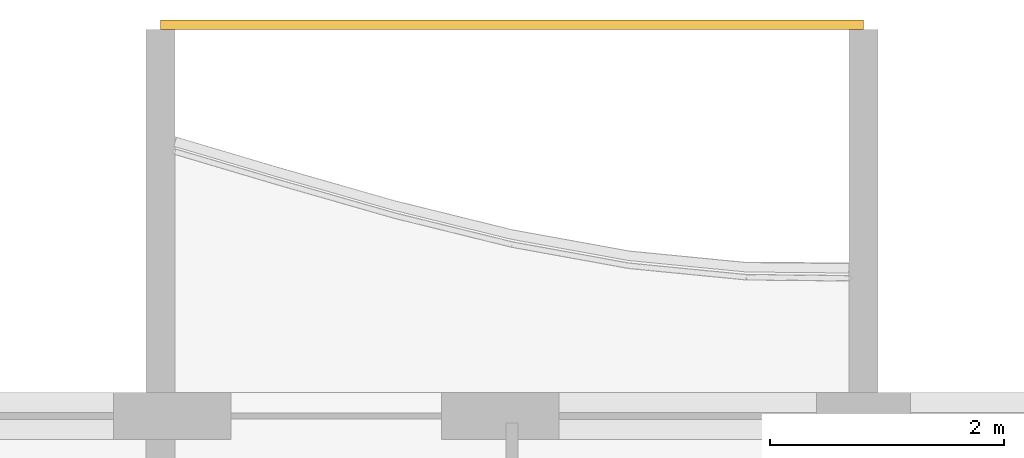
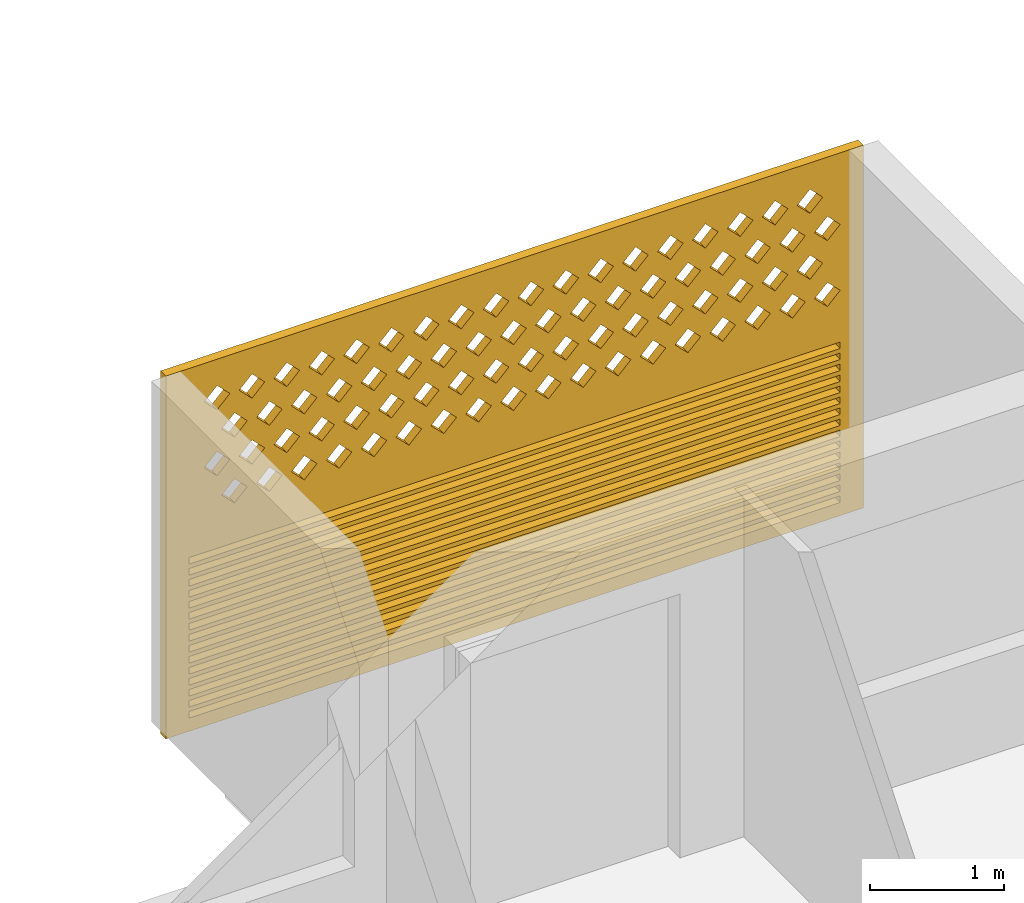
# One storey, part 25 of 27: 1 covering.
"""IFC4 building model written with IfcOpenShell, lengths in metres."""

from ifc_helpers import new_model, si_unit, direction, frame, origin, place, context, subcontext, project, spatial, polyline, outline, extrude, source, transform, mapped, material, material_profile, profile_set, type_object, element, save


model = new_model("IFC4")

# Units and contexts
model_context = context("Model", 3, precision=1e-05, world=origin(), true_north=direction((0.0, 1.0)))
body_context = subcontext(model_context, "Body", "Model", "MODEL_VIEW")
ifc_project = project(units=[si_unit("LENGTHUNIT", "METRE"), si_unit("AREAUNIT", "SQUARE_METRE"), si_unit("VOLUMEUNIT", "CUBIC_METRE"), si_unit("PLANEANGLEUNIT", "RADIAN"), si_unit("MASSUNIT", "GRAM", prefix="KILO")], contexts=[model_context])

# Site, building, storey
site_placement = place(None, origin())
site = spatial("IfcSite", under=ifc_project, at=site_placement, CompositionType="ELEMENT")
building_placement = place(site_placement, origin())
building = spatial("IfcBuilding", under=site, at=building_placement, Name="Poui Terraces", CompositionType="ELEMENT")
storey_placement = place(building_placement, frame((0.0, 0.0, 204.89990234375)))
storey = spatial("IfcBuildingStorey", under=building, at=storey_placement, Name="L57", CompositionType="ELEMENT", Elevation=204.89990234375)

# Covering
ifc_material = material(Name="Terracotta screen", Category="masonry")
ifc_material_profile = material_profile(ifc_material, outline(polyline([(-3.0, -1.64990234375), (3.0, -1.64990234375), (3.0, 1.64990234375), (-3.0, 1.64990234375), (-3.0, -1.64990234375)]), holes=[polyline([(-2.800048828125, 0.39990234375), (-2.68994140625, 0.2900390625), (-2.580078125, 0.39990234375), (-2.68994140625, 0.510009765625), (-2.800048828125, 0.39990234375)]), polyline([(-2.5, 0.39990234375), (-2.389892578125, 0.2900390625), (-2.280029296875, 0.39990234375), (-2.389892578125, 0.510009765625), (-2.5, 0.39990234375)]), polyline([(-2.199951171875, 0.39990234375), (-2.090087890625, 0.2900390625), (-1.97998046875, 0.39990234375), (-2.090087890625, 0.510009765625), (-2.199951171875, 0.39990234375)]), polyline([(-1.89990234375, 0.39990234375), (-1.7900390625, 0.2900390625), (-1.679931640625, 0.39990234375), (-1.7900390625, 0.510009765625), (-1.89990234375, 0.39990234375)]), polyline([(-1.60009765625, 0.39990234375), (-1.489990234375, 0.2900390625), (-1.3798828125, 0.39990234375), (-1.489990234375, 0.510009765625), (-1.60009765625, 0.39990234375)]), polyline([(-1.300048828125, 0.39990234375), (-1.18994140625, 0.2900390625), (-1.080078125, 0.39990234375), (-1.18994140625, 0.510009765625), (-1.300048828125, 0.39990234375)]), polyline([(-1.0, 0.39990234375), (-0.889892578125, 0.2900390625), (-0.780029296875, 0.39990234375), (-0.889892578125, 0.510009765625), (-1.0, 0.39990234375)]), polyline([(-0.699951171875, 0.39990234375), (-0.590087890625, 0.2900390625), (-0.47998046875, 0.39990234375), (-0.590087890625, 0.510009765625), (-0.699951171875, 0.39990234375)]), polyline([(-0.39990234375, 0.39990234375), (-0.2900390625, 0.2900390625), (-0.179931640625, 0.39990234375), (-0.2900390625, 0.510009765625), (-0.39990234375, 0.39990234375)]), polyline([(-0.10009765625, 0.39990234375), (0.010009765625, 0.2900390625), (0.1201171875, 0.39990234375), (0.010009765625, 0.510009765625), (-0.10009765625, 0.39990234375)]), polyline([(0.199951171875, 0.39990234375), (0.31005859375, 0.2900390625), (0.419921875, 0.39990234375), (0.31005859375, 0.510009765625), (0.199951171875, 0.39990234375)]), polyline([(0.5, 0.39990234375), (0.610107421875, 0.2900390625), (0.719970703125, 0.39990234375), (0.610107421875, 0.510009765625), (0.5, 0.39990234375)]), polyline([(0.800048828125, 0.39990234375), (0.909912109375, 0.2900390625), (1.02001953125, 0.39990234375), (0.909912109375, 0.510009765625), (0.800048828125, 0.39990234375)]), polyline([(1.10009765625, 0.39990234375), (1.2099609375, 0.2900390625), (1.320068359375, 0.39990234375), (1.2099609375, 0.510009765625), (1.10009765625, 0.39990234375)]), polyline([(1.39990234375, 0.39990234375), (1.510009765625, 0.2900390625), (1.6201171875, 0.39990234375), (1.510009765625, 0.510009765625), (1.39990234375, 0.39990234375)]), polyline([(1.699951171875, 0.39990234375), (1.81005859375, 0.2900390625), (1.919921875, 0.39990234375), (1.81005859375, 0.510009765625), (1.699951171875, 0.39990234375)]), polyline([(2.0, 0.39990234375), (2.110107421875, 0.2900390625), (2.219970703125, 0.39990234375), (2.110107421875, 0.510009765625), (2.0, 0.39990234375)]), polyline([(2.300048828125, 0.39990234375), (2.409912109375, 0.2900390625), (2.52001953125, 0.39990234375), (2.409912109375, 0.510009765625), (2.300048828125, 0.39990234375)]), polyline([(-2.64990234375, 0.699951171875), (-2.5400390625, 0.590087890625), (-2.429931640625, 0.699951171875), (-2.5400390625, 0.81005859375), (-2.64990234375, 0.699951171875)]), polyline([(-2.35009765625, 0.699951171875), (-2.239990234375, 0.590087890625), (-2.1298828125, 0.699951171875), (-2.239990234375, 0.81005859375), (-2.35009765625, 0.699951171875)]), polyline([(-2.050048828125, 0.699951171875), (-1.93994140625, 0.590087890625), (-1.830078125, 0.699951171875), (-1.93994140625, 0.81005859375), (-2.050048828125, 0.699951171875)]), polyline([(-1.75, 0.699951171875), (-1.639892578125, 0.590087890625), (-1.530029296875, 0.699951171875), (-1.639892578125, 0.81005859375), (-1.75, 0.699951171875)]), polyline([(-1.449951171875, 0.699951171875), (-1.340087890625, 0.590087890625), (-1.22998046875, 0.699951171875), (-1.340087890625, 0.81005859375), (-1.449951171875, 0.699951171875)]), polyline([(-1.14990234375, 0.699951171875), (-1.0400390625, 0.590087890625), (-0.929931640625, 0.699951171875), (-1.0400390625, 0.81005859375), (-1.14990234375, 0.699951171875)]), polyline([(-0.85009765625, 0.699951171875), (-0.739990234375, 0.590087890625), (-0.6298828125, 0.699951171875), (-0.739990234375, 0.81005859375), (-0.85009765625, 0.699951171875)]), polyline([(-0.550048828125, 0.699951171875), (-0.43994140625, 0.590087890625), (-0.330078125, 0.699951171875), (-0.43994140625, 0.81005859375), (-0.550048828125, 0.699951171875)]), polyline([(-0.25, 0.699951171875), (-0.139892578125, 0.590087890625), (-0.030029296875, 0.699951171875), (-0.139892578125, 0.81005859375), (-0.25, 0.699951171875)]), polyline([(0.050048828125, 0.699951171875), (0.159912109375, 0.590087890625), (0.27001953125, 0.699951171875), (0.159912109375, 0.81005859375), (0.050048828125, 0.699951171875)]), polyline([(0.35009765625, 0.699951171875), (0.4599609375, 0.590087890625), (0.570068359375, 0.699951171875), (0.4599609375, 0.81005859375), (0.35009765625, 0.699951171875)]), polyline([(0.64990234375, 0.699951171875), (0.760009765625, 0.590087890625), (0.8701171875, 0.699951171875), (0.760009765625, 0.81005859375), (0.64990234375, 0.699951171875)]), polyline([(0.949951171875, 0.699951171875), (1.06005859375, 0.590087890625), (1.169921875, 0.699951171875), (1.06005859375, 0.81005859375), (0.949951171875, 0.699951171875)]), polyline([(1.25, 0.699951171875), (1.360107421875, 0.590087890625), (1.469970703125, 0.699951171875), (1.360107421875, 0.81005859375), (1.25, 0.699951171875)]), polyline([(1.550048828125, 0.699951171875), (1.659912109375, 0.590087890625), (1.77001953125, 0.699951171875), (1.659912109375, 0.81005859375), (1.550048828125, 0.699951171875)]), polyline([(1.85009765625, 0.699951171875), (1.9599609375, 0.590087890625), (2.070068359375, 0.699951171875), (1.9599609375, 0.81005859375), (1.85009765625, 0.699951171875)]), polyline([(2.14990234375, 0.699951171875), (2.260009765625, 0.590087890625), (2.3701171875, 0.699951171875), (2.260009765625, 0.81005859375), (2.14990234375, 0.699951171875)]), polyline([(2.449951171875, 0.699951171875), (2.56005859375, 0.590087890625), (2.669921875, 0.699951171875), (2.56005859375, 0.81005859375), (2.449951171875, 0.699951171875)]), polyline([(-2.800048828125, 1.0), (-2.68994140625, 0.889892578125), (-2.580078125, 1.0), (-2.68994140625, 1.110107421875), (-2.800048828125, 1.0)]), polyline([(-2.5, 1.0), (-2.389892578125, 0.889892578125), (-2.280029296875, 1.0), (-2.389892578125, 1.110107421875), (-2.5, 1.0)]), polyline([(-2.199951171875, 1.0), (-2.090087890625, 0.889892578125), (-1.97998046875, 1.0), (-2.090087890625, 1.110107421875), (-2.199951171875, 1.0)]), polyline([(-1.89990234375, 1.0), (-1.7900390625, 0.889892578125), (-1.679931640625, 1.0), (-1.7900390625, 1.110107421875), (-1.89990234375, 1.0)]), polyline([(-1.60009765625, 1.0), (-1.489990234375, 0.889892578125), (-1.3798828125, 1.0), (-1.489990234375, 1.110107421875), (-1.60009765625, 1.0)]), polyline([(-1.300048828125, 1.0), (-1.18994140625, 0.889892578125), (-1.080078125, 1.0), (-1.18994140625, 1.110107421875), (-1.300048828125, 1.0)]), polyline([(-1.0, 1.0), (-0.889892578125, 0.889892578125), (-0.780029296875, 1.0), (-0.889892578125, 1.110107421875), (-1.0, 1.0)]), polyline([(-0.699951171875, 1.0), (-0.590087890625, 0.889892578125), (-0.47998046875, 1.0), (-0.590087890625, 1.110107421875), (-0.699951171875, 1.0)]), polyline([(-0.39990234375, 1.0), (-0.2900390625, 0.889892578125), (-0.179931640625, 1.0), (-0.2900390625, 1.110107421875), (-0.39990234375, 1.0)]), polyline([(-0.10009765625, 1.0), (0.010009765625, 0.889892578125), (0.1201171875, 1.0), (0.010009765625, 1.110107421875), (-0.10009765625, 1.0)]), polyline([(0.199951171875, 1.0), (0.31005859375, 0.889892578125), (0.419921875, 1.0), (0.31005859375, 1.110107421875), (0.199951171875, 1.0)]), polyline([(0.5, 1.0), (0.610107421875, 0.889892578125), (0.719970703125, 1.0), (0.610107421875, 1.110107421875), (0.5, 1.0)]), polyline([(0.800048828125, 1.0), (0.909912109375, 0.889892578125), (1.02001953125, 1.0), (0.909912109375, 1.110107421875), (0.800048828125, 1.0)]), polyline([(1.10009765625, 1.0), (1.2099609375, 0.889892578125), (1.320068359375, 1.0), (1.2099609375, 1.110107421875), (1.10009765625, 1.0)]), polyline([(1.39990234375, 1.0), (1.510009765625, 0.889892578125), (1.6201171875, 1.0), (1.510009765625, 1.110107421875), (1.39990234375, 1.0)]), polyline([(1.699951171875, 1.0), (1.81005859375, 0.889892578125), (1.919921875, 1.0), (1.81005859375, 1.110107421875), (1.699951171875, 1.0)]), polyline([(2.0, 1.0), (2.110107421875, 0.889892578125), (2.219970703125, 1.0), (2.110107421875, 1.110107421875), (2.0, 1.0)]), polyline([(2.300048828125, 1.0), (2.409912109375, 0.889892578125), (2.52001953125, 1.0), (2.409912109375, 1.110107421875), (2.300048828125, 1.0)]), polyline([(-2.64990234375, 1.300048828125), (-2.5400390625, 1.18994140625), (-2.429931640625, 1.300048828125), (-2.5400390625, 1.409912109375), (-2.64990234375, 1.300048828125)]), polyline([(-2.35009765625, 1.300048828125), (-2.239990234375, 1.18994140625), (-2.1298828125, 1.300048828125), (-2.239990234375, 1.409912109375), (-2.35009765625, 1.300048828125)]), polyline([(-2.050048828125, 1.300048828125), (-1.93994140625, 1.18994140625), (-1.830078125, 1.300048828125), (-1.93994140625, 1.409912109375), (-2.050048828125, 1.300048828125)]), polyline([(-1.75, 1.300048828125), (-1.639892578125, 1.18994140625), (-1.530029296875, 1.300048828125), (-1.639892578125, 1.409912109375), (-1.75, 1.300048828125)]), polyline([(-1.449951171875, 1.300048828125), (-1.340087890625, 1.18994140625), (-1.22998046875, 1.300048828125), (-1.340087890625, 1.409912109375), (-1.449951171875, 1.300048828125)]), polyline([(-1.14990234375, 1.300048828125), (-1.0400390625, 1.18994140625), (-0.929931640625, 1.300048828125), (-1.0400390625, 1.409912109375), (-1.14990234375, 1.300048828125)]), polyline([(-0.85009765625, 1.300048828125), (-0.739990234375, 1.18994140625), (-0.6298828125, 1.300048828125), (-0.739990234375, 1.409912109375), (-0.85009765625, 1.300048828125)]), polyline([(-0.550048828125, 1.300048828125), (-0.43994140625, 1.18994140625), (-0.330078125, 1.300048828125), (-0.43994140625, 1.409912109375), (-0.550048828125, 1.300048828125)]), polyline([(-0.25, 1.300048828125), (-0.139892578125, 1.18994140625), (-0.030029296875, 1.300048828125), (-0.139892578125, 1.409912109375), (-0.25, 1.300048828125)]), polyline([(0.050048828125, 1.300048828125), (0.159912109375, 1.18994140625), (0.27001953125, 1.300048828125), (0.159912109375, 1.409912109375), (0.050048828125, 1.300048828125)]), polyline([(0.35009765625, 1.300048828125), (0.4599609375, 1.18994140625), (0.570068359375, 1.300048828125), (0.4599609375, 1.409912109375), (0.35009765625, 1.300048828125)]), polyline([(0.64990234375, 1.300048828125), (0.760009765625, 1.18994140625), (0.8701171875, 1.300048828125), (0.760009765625, 1.409912109375), (0.64990234375, 1.300048828125)]), polyline([(0.949951171875, 1.300048828125), (1.06005859375, 1.18994140625), (1.169921875, 1.300048828125), (1.06005859375, 1.409912109375), (0.949951171875, 1.300048828125)]), polyline([(1.25, 1.300048828125), (1.360107421875, 1.18994140625), (1.469970703125, 1.300048828125), (1.360107421875, 1.409912109375), (1.25, 1.300048828125)]), polyline([(1.550048828125, 1.300048828125), (1.659912109375, 1.18994140625), (1.77001953125, 1.300048828125), (1.659912109375, 1.409912109375), (1.550048828125, 1.300048828125)]), polyline([(1.85009765625, 1.300048828125), (1.9599609375, 1.18994140625), (2.070068359375, 1.300048828125), (1.9599609375, 1.409912109375), (1.85009765625, 1.300048828125)]), polyline([(2.14990234375, 1.300048828125), (2.260009765625, 1.18994140625), (2.3701171875, 1.300048828125), (2.260009765625, 1.409912109375), (2.14990234375, 1.300048828125)]), polyline([(2.449951171875, 1.300048828125), (2.56005859375, 1.18994140625), (2.669921875, 1.300048828125), (2.56005859375, 1.409912109375), (2.449951171875, 1.300048828125)]), polyline([(-2.800048828125, -1.530029296875), (2.800048828125, -1.530029296875), (2.800048828125, -1.469970703125), (-2.800048828125, -1.469970703125), (-2.800048828125, -1.530029296875)]), polyline([(-2.800048828125, -1.429931640625), (2.800048828125, -1.429931640625), (2.800048828125, -1.3701171875), (-2.800048828125, -1.3701171875), (-2.800048828125, -1.429931640625)]), polyline([(-2.800048828125, -1.330078125), (2.800048828125, -1.330078125), (2.800048828125, -1.27001953125), (-2.800048828125, -1.27001953125), (-2.800048828125, -1.330078125)]), polyline([(-2.800048828125, -1.22998046875), (2.800048828125, -1.22998046875), (2.800048828125, -1.169921875), (-2.800048828125, -1.169921875), (-2.800048828125, -1.22998046875)]), polyline([(-2.800048828125, -1.1298828125), (2.800048828125, -1.1298828125), (2.800048828125, -1.070068359375), (-2.800048828125, -1.070068359375), (-2.800048828125, -1.1298828125)]), polyline([(-2.800048828125, -1.030029296875), (2.800048828125, -1.030029296875), (2.800048828125, -0.969970703125), (-2.800048828125, -0.969970703125), (-2.800048828125, -1.030029296875)]), polyline([(-2.800048828125, -0.929931640625), (2.800048828125, -0.929931640625), (2.800048828125, -0.8701171875), (-2.800048828125, -0.8701171875), (-2.800048828125, -0.929931640625)]), polyline([(-2.800048828125, -0.830078125), (2.800048828125, -0.830078125), (2.800048828125, -0.77001953125), (-2.800048828125, -0.77001953125), (-2.800048828125, -0.830078125)]), polyline([(-2.800048828125, -0.72998046875), (2.800048828125, -0.72998046875), (2.800048828125, -0.669921875), (-2.800048828125, -0.669921875), (-2.800048828125, -0.72998046875)]), polyline([(-2.800048828125, -0.6298828125), (2.800048828125, -0.6298828125), (2.800048828125, -0.570068359375), (-2.800048828125, -0.570068359375), (-2.800048828125, -0.6298828125)]), polyline([(-2.800048828125, -0.530029296875), (2.800048828125, -0.530029296875), (2.800048828125, -0.469970703125), (-2.800048828125, -0.469970703125), (-2.800048828125, -0.530029296875)]), polyline([(-2.800048828125, -0.429931640625), (2.800048828125, -0.429931640625), (2.800048828125, -0.3701171875), (-2.800048828125, -0.3701171875), (-2.800048828125, -0.429931640625)]), polyline([(-2.800048828125, -0.330078125), (2.800048828125, -0.330078125), (2.800048828125, -0.27001953125), (-2.800048828125, -0.27001953125), (-2.800048828125, -0.330078125)]), polyline([(-2.800048828125, -0.22998046875), (2.800048828125, -0.22998046875), (2.800048828125, -0.169921875), (-2.800048828125, -0.169921875), (-2.800048828125, -0.22998046875)]), polyline([(-2.800048828125, -0.1298828125), (2.800048828125, -0.1298828125), (2.800048828125, -0.070068359375), (-2.800048828125, -0.070068359375), (-2.800048828125, -0.1298828125)])]), Name="TERRACOTTA SCREEN AND JALOUSIE LOUVRE 6000X3300")
ifc_profile_set = profile_set([ifc_material_profile], Name="Terracotta screen")
covering_type = type_object("IfcCoveringType", Name="TERRACOTTA SCREEN AND JALOUSIE LOUVRE 6000X3300", PredefinedType="CLADDING", material=ifc_profile_set)
shared_shape = source(origin(), body_context, "Body", "SweptSolid", [
    extrude(outline(polyline([(-3.0, -1.64990234375), (3.0, -1.64990234375), (3.0, 1.64990234375), (-3.0, 1.64990234375), (-3.0, -1.64990234375)]), holes=[polyline([(-2.800048828125, 0.39990234375), (-2.68994140625, 0.2900390625), (-2.580078125, 0.39990234375), (-2.68994140625, 0.510009765625), (-2.800048828125, 0.39990234375)]), polyline([(-2.5, 0.39990234375), (-2.389892578125, 0.2900390625), (-2.280029296875, 0.39990234375), (-2.389892578125, 0.510009765625), (-2.5, 0.39990234375)]), polyline([(-2.199951171875, 0.39990234375), (-2.090087890625, 0.2900390625), (-1.97998046875, 0.39990234375), (-2.090087890625, 0.510009765625), (-2.199951171875, 0.39990234375)]), polyline([(-1.89990234375, 0.39990234375), (-1.7900390625, 0.2900390625), (-1.679931640625, 0.39990234375), (-1.7900390625, 0.510009765625), (-1.89990234375, 0.39990234375)]), polyline([(-1.60009765625, 0.39990234375), (-1.489990234375, 0.2900390625), (-1.3798828125, 0.39990234375), (-1.489990234375, 0.510009765625), (-1.60009765625, 0.39990234375)]), polyline([(-1.300048828125, 0.39990234375), (-1.18994140625, 0.2900390625), (-1.080078125, 0.39990234375), (-1.18994140625, 0.510009765625), (-1.300048828125, 0.39990234375)]), polyline([(-1.0, 0.39990234375), (-0.889892578125, 0.2900390625), (-0.780029296875, 0.39990234375), (-0.889892578125, 0.510009765625), (-1.0, 0.39990234375)]), polyline([(-0.699951171875, 0.39990234375), (-0.590087890625, 0.2900390625), (-0.47998046875, 0.39990234375), (-0.590087890625, 0.510009765625), (-0.699951171875, 0.39990234375)]), polyline([(-0.39990234375, 0.39990234375), (-0.2900390625, 0.2900390625), (-0.179931640625, 0.39990234375), (-0.2900390625, 0.510009765625), (-0.39990234375, 0.39990234375)]), polyline([(-0.10009765625, 0.39990234375), (0.010009765625, 0.2900390625), (0.1201171875, 0.39990234375), (0.010009765625, 0.510009765625), (-0.10009765625, 0.39990234375)]), polyline([(0.199951171875, 0.39990234375), (0.31005859375, 0.2900390625), (0.419921875, 0.39990234375), (0.31005859375, 0.510009765625), (0.199951171875, 0.39990234375)]), polyline([(0.5, 0.39990234375), (0.610107421875, 0.2900390625), (0.719970703125, 0.39990234375), (0.610107421875, 0.510009765625), (0.5, 0.39990234375)]), polyline([(0.800048828125, 0.39990234375), (0.909912109375, 0.2900390625), (1.02001953125, 0.39990234375), (0.909912109375, 0.510009765625), (0.800048828125, 0.39990234375)]), polyline([(1.10009765625, 0.39990234375), (1.2099609375, 0.2900390625), (1.320068359375, 0.39990234375), (1.2099609375, 0.510009765625), (1.10009765625, 0.39990234375)]), polyline([(1.39990234375, 0.39990234375), (1.510009765625, 0.2900390625), (1.6201171875, 0.39990234375), (1.510009765625, 0.510009765625), (1.39990234375, 0.39990234375)]), polyline([(1.699951171875, 0.39990234375), (1.81005859375, 0.2900390625), (1.919921875, 0.39990234375), (1.81005859375, 0.510009765625), (1.699951171875, 0.39990234375)]), polyline([(2.0, 0.39990234375), (2.110107421875, 0.2900390625), (2.219970703125, 0.39990234375), (2.110107421875, 0.510009765625), (2.0, 0.39990234375)]), polyline([(2.300048828125, 0.39990234375), (2.409912109375, 0.2900390625), (2.52001953125, 0.39990234375), (2.409912109375, 0.510009765625), (2.300048828125, 0.39990234375)]), polyline([(-2.64990234375, 0.699951171875), (-2.5400390625, 0.590087890625), (-2.429931640625, 0.699951171875), (-2.5400390625, 0.81005859375), (-2.64990234375, 0.699951171875)]), polyline([(-2.35009765625, 0.699951171875), (-2.239990234375, 0.590087890625), (-2.1298828125, 0.699951171875), (-2.239990234375, 0.81005859375), (-2.35009765625, 0.699951171875)]), polyline([(-2.050048828125, 0.699951171875), (-1.93994140625, 0.590087890625), (-1.830078125, 0.699951171875), (-1.93994140625, 0.81005859375), (-2.050048828125, 0.699951171875)]), polyline([(-1.75, 0.699951171875), (-1.639892578125, 0.590087890625), (-1.530029296875, 0.699951171875), (-1.639892578125, 0.81005859375), (-1.75, 0.699951171875)]), polyline([(-1.449951171875, 0.699951171875), (-1.340087890625, 0.590087890625), (-1.22998046875, 0.699951171875), (-1.340087890625, 0.81005859375), (-1.449951171875, 0.699951171875)]), polyline([(-1.14990234375, 0.699951171875), (-1.0400390625, 0.590087890625), (-0.929931640625, 0.699951171875), (-1.0400390625, 0.81005859375), (-1.14990234375, 0.699951171875)]), polyline([(-0.85009765625, 0.699951171875), (-0.739990234375, 0.590087890625), (-0.6298828125, 0.699951171875), (-0.739990234375, 0.81005859375), (-0.85009765625, 0.699951171875)]), polyline([(-0.550048828125, 0.699951171875), (-0.43994140625, 0.590087890625), (-0.330078125, 0.699951171875), (-0.43994140625, 0.81005859375), (-0.550048828125, 0.699951171875)]), polyline([(-0.25, 0.699951171875), (-0.139892578125, 0.590087890625), (-0.030029296875, 0.699951171875), (-0.139892578125, 0.81005859375), (-0.25, 0.699951171875)]), polyline([(0.050048828125, 0.699951171875), (0.159912109375, 0.590087890625), (0.27001953125, 0.699951171875), (0.159912109375, 0.81005859375), (0.050048828125, 0.699951171875)]), polyline([(0.35009765625, 0.699951171875), (0.4599609375, 0.590087890625), (0.570068359375, 0.699951171875), (0.4599609375, 0.81005859375), (0.35009765625, 0.699951171875)]), polyline([(0.64990234375, 0.699951171875), (0.760009765625, 0.590087890625), (0.8701171875, 0.699951171875), (0.760009765625, 0.81005859375), (0.64990234375, 0.699951171875)]), polyline([(0.949951171875, 0.699951171875), (1.06005859375, 0.590087890625), (1.169921875, 0.699951171875), (1.06005859375, 0.81005859375), (0.949951171875, 0.699951171875)]), polyline([(1.25, 0.699951171875), (1.360107421875, 0.590087890625), (1.469970703125, 0.699951171875), (1.360107421875, 0.81005859375), (1.25, 0.699951171875)]), polyline([(1.550048828125, 0.699951171875), (1.659912109375, 0.590087890625), (1.77001953125, 0.699951171875), (1.659912109375, 0.81005859375), (1.550048828125, 0.699951171875)]), polyline([(1.85009765625, 0.699951171875), (1.9599609375, 0.590087890625), (2.070068359375, 0.699951171875), (1.9599609375, 0.81005859375), (1.85009765625, 0.699951171875)]), polyline([(2.14990234375, 0.699951171875), (2.260009765625, 0.590087890625), (2.3701171875, 0.699951171875), (2.260009765625, 0.81005859375), (2.14990234375, 0.699951171875)]), polyline([(2.449951171875, 0.699951171875), (2.56005859375, 0.590087890625), (2.669921875, 0.699951171875), (2.56005859375, 0.81005859375), (2.449951171875, 0.699951171875)]), polyline([(-2.800048828125, 1.0), (-2.68994140625, 0.889892578125), (-2.580078125, 1.0), (-2.68994140625, 1.110107421875), (-2.800048828125, 1.0)]), polyline([(-2.5, 1.0), (-2.389892578125, 0.889892578125), (-2.280029296875, 1.0), (-2.389892578125, 1.110107421875), (-2.5, 1.0)]), polyline([(-2.199951171875, 1.0), (-2.090087890625, 0.889892578125), (-1.97998046875, 1.0), (-2.090087890625, 1.110107421875), (-2.199951171875, 1.0)]), polyline([(-1.89990234375, 1.0), (-1.7900390625, 0.889892578125), (-1.679931640625, 1.0), (-1.7900390625, 1.110107421875), (-1.89990234375, 1.0)]), polyline([(-1.60009765625, 1.0), (-1.489990234375, 0.889892578125), (-1.3798828125, 1.0), (-1.489990234375, 1.110107421875), (-1.60009765625, 1.0)]), polyline([(-1.300048828125, 1.0), (-1.18994140625, 0.889892578125), (-1.080078125, 1.0), (-1.18994140625, 1.110107421875), (-1.300048828125, 1.0)]), polyline([(-1.0, 1.0), (-0.889892578125, 0.889892578125), (-0.780029296875, 1.0), (-0.889892578125, 1.110107421875), (-1.0, 1.0)]), polyline([(-0.699951171875, 1.0), (-0.590087890625, 0.889892578125), (-0.47998046875, 1.0), (-0.590087890625, 1.110107421875), (-0.699951171875, 1.0)]), polyline([(-0.39990234375, 1.0), (-0.2900390625, 0.889892578125), (-0.179931640625, 1.0), (-0.2900390625, 1.110107421875), (-0.39990234375, 1.0)]), polyline([(-0.10009765625, 1.0), (0.010009765625, 0.889892578125), (0.1201171875, 1.0), (0.010009765625, 1.110107421875), (-0.10009765625, 1.0)]), polyline([(0.199951171875, 1.0), (0.31005859375, 0.889892578125), (0.419921875, 1.0), (0.31005859375, 1.110107421875), (0.199951171875, 1.0)]), polyline([(0.5, 1.0), (0.610107421875, 0.889892578125), (0.719970703125, 1.0), (0.610107421875, 1.110107421875), (0.5, 1.0)]), polyline([(0.800048828125, 1.0), (0.909912109375, 0.889892578125), (1.02001953125, 1.0), (0.909912109375, 1.110107421875), (0.800048828125, 1.0)]), polyline([(1.10009765625, 1.0), (1.2099609375, 0.889892578125), (1.320068359375, 1.0), (1.2099609375, 1.110107421875), (1.10009765625, 1.0)]), polyline([(1.39990234375, 1.0), (1.510009765625, 0.889892578125), (1.6201171875, 1.0), (1.510009765625, 1.110107421875), (1.39990234375, 1.0)]), polyline([(1.699951171875, 1.0), (1.81005859375, 0.889892578125), (1.919921875, 1.0), (1.81005859375, 1.110107421875), (1.699951171875, 1.0)]), polyline([(2.0, 1.0), (2.110107421875, 0.889892578125), (2.219970703125, 1.0), (2.110107421875, 1.110107421875), (2.0, 1.0)]), polyline([(2.300048828125, 1.0), (2.409912109375, 0.889892578125), (2.52001953125, 1.0), (2.409912109375, 1.110107421875), (2.300048828125, 1.0)]), polyline([(-2.64990234375, 1.300048828125), (-2.5400390625, 1.18994140625), (-2.429931640625, 1.300048828125), (-2.5400390625, 1.409912109375), (-2.64990234375, 1.300048828125)]), polyline([(-2.35009765625, 1.300048828125), (-2.239990234375, 1.18994140625), (-2.1298828125, 1.300048828125), (-2.239990234375, 1.409912109375), (-2.35009765625, 1.300048828125)]), polyline([(-2.050048828125, 1.300048828125), (-1.93994140625, 1.18994140625), (-1.830078125, 1.300048828125), (-1.93994140625, 1.409912109375), (-2.050048828125, 1.300048828125)]), polyline([(-1.75, 1.300048828125), (-1.639892578125, 1.18994140625), (-1.530029296875, 1.300048828125), (-1.639892578125, 1.409912109375), (-1.75, 1.300048828125)]), polyline([(-1.449951171875, 1.300048828125), (-1.340087890625, 1.18994140625), (-1.22998046875, 1.300048828125), (-1.340087890625, 1.409912109375), (-1.449951171875, 1.300048828125)]), polyline([(-1.14990234375, 1.300048828125), (-1.0400390625, 1.18994140625), (-0.929931640625, 1.300048828125), (-1.0400390625, 1.409912109375), (-1.14990234375, 1.300048828125)]), polyline([(-0.85009765625, 1.300048828125), (-0.739990234375, 1.18994140625), (-0.6298828125, 1.300048828125), (-0.739990234375, 1.409912109375), (-0.85009765625, 1.300048828125)]), polyline([(-0.550048828125, 1.300048828125), (-0.43994140625, 1.18994140625), (-0.330078125, 1.300048828125), (-0.43994140625, 1.409912109375), (-0.550048828125, 1.300048828125)]), polyline([(-0.25, 1.300048828125), (-0.139892578125, 1.18994140625), (-0.030029296875, 1.300048828125), (-0.139892578125, 1.409912109375), (-0.25, 1.300048828125)]), polyline([(0.050048828125, 1.300048828125), (0.159912109375, 1.18994140625), (0.27001953125, 1.300048828125), (0.159912109375, 1.409912109375), (0.050048828125, 1.300048828125)]), polyline([(0.35009765625, 1.300048828125), (0.4599609375, 1.18994140625), (0.570068359375, 1.300048828125), (0.4599609375, 1.409912109375), (0.35009765625, 1.300048828125)]), polyline([(0.64990234375, 1.300048828125), (0.760009765625, 1.18994140625), (0.8701171875, 1.300048828125), (0.760009765625, 1.409912109375), (0.64990234375, 1.300048828125)]), polyline([(0.949951171875, 1.300048828125), (1.06005859375, 1.18994140625), (1.169921875, 1.300048828125), (1.06005859375, 1.409912109375), (0.949951171875, 1.300048828125)]), polyline([(1.25, 1.300048828125), (1.360107421875, 1.18994140625), (1.469970703125, 1.300048828125), (1.360107421875, 1.409912109375), (1.25, 1.300048828125)]), polyline([(1.550048828125, 1.300048828125), (1.659912109375, 1.18994140625), (1.77001953125, 1.300048828125), (1.659912109375, 1.409912109375), (1.550048828125, 1.300048828125)]), polyline([(1.85009765625, 1.300048828125), (1.9599609375, 1.18994140625), (2.070068359375, 1.300048828125), (1.9599609375, 1.409912109375), (1.85009765625, 1.300048828125)]), polyline([(2.14990234375, 1.300048828125), (2.260009765625, 1.18994140625), (2.3701171875, 1.300048828125), (2.260009765625, 1.409912109375), (2.14990234375, 1.300048828125)]), polyline([(2.449951171875, 1.300048828125), (2.56005859375, 1.18994140625), (2.669921875, 1.300048828125), (2.56005859375, 1.409912109375), (2.449951171875, 1.300048828125)]), polyline([(-2.800048828125, -1.530029296875), (2.800048828125, -1.530029296875), (2.800048828125, -1.469970703125), (-2.800048828125, -1.469970703125), (-2.800048828125, -1.530029296875)]), polyline([(-2.800048828125, -1.429931640625), (2.800048828125, -1.429931640625), (2.800048828125, -1.3701171875), (-2.800048828125, -1.3701171875), (-2.800048828125, -1.429931640625)]), polyline([(-2.800048828125, -1.330078125), (2.800048828125, -1.330078125), (2.800048828125, -1.27001953125), (-2.800048828125, -1.27001953125), (-2.800048828125, -1.330078125)]), polyline([(-2.800048828125, -1.22998046875), (2.800048828125, -1.22998046875), (2.800048828125, -1.169921875), (-2.800048828125, -1.169921875), (-2.800048828125, -1.22998046875)]), polyline([(-2.800048828125, -1.1298828125), (2.800048828125, -1.1298828125), (2.800048828125, -1.070068359375), (-2.800048828125, -1.070068359375), (-2.800048828125, -1.1298828125)]), polyline([(-2.800048828125, -1.030029296875), (2.800048828125, -1.030029296875), (2.800048828125, -0.969970703125), (-2.800048828125, -0.969970703125), (-2.800048828125, -1.030029296875)]), polyline([(-2.800048828125, -0.929931640625), (2.800048828125, -0.929931640625), (2.800048828125, -0.8701171875), (-2.800048828125, -0.8701171875), (-2.800048828125, -0.929931640625)]), polyline([(-2.800048828125, -0.830078125), (2.800048828125, -0.830078125), (2.800048828125, -0.77001953125), (-2.800048828125, -0.77001953125), (-2.800048828125, -0.830078125)]), polyline([(-2.800048828125, -0.72998046875), (2.800048828125, -0.72998046875), (2.800048828125, -0.669921875), (-2.800048828125, -0.669921875), (-2.800048828125, -0.72998046875)]), polyline([(-2.800048828125, -0.6298828125), (2.800048828125, -0.6298828125), (2.800048828125, -0.570068359375), (-2.800048828125, -0.570068359375), (-2.800048828125, -0.6298828125)]), polyline([(-2.800048828125, -0.530029296875), (2.800048828125, -0.530029296875), (2.800048828125, -0.469970703125), (-2.800048828125, -0.469970703125), (-2.800048828125, -0.530029296875)]), polyline([(-2.800048828125, -0.429931640625), (2.800048828125, -0.429931640625), (2.800048828125, -0.3701171875), (-2.800048828125, -0.3701171875), (-2.800048828125, -0.429931640625)]), polyline([(-2.800048828125, -0.330078125), (2.800048828125, -0.330078125), (2.800048828125, -0.27001953125), (-2.800048828125, -0.27001953125), (-2.800048828125, -0.330078125)]), polyline([(-2.800048828125, -0.22998046875), (2.800048828125, -0.22998046875), (2.800048828125, -0.169921875), (-2.800048828125, -0.169921875), (-2.800048828125, -0.22998046875)]), polyline([(-2.800048828125, -0.1298828125), (2.800048828125, -0.1298828125), (2.800048828125, -0.070068359375), (-2.800048828125, -0.070068359375), (-2.800048828125, -0.1298828125)])]), origin(), (0.0, 0.0, 1.0), 0.080078125),
])
covering_placement = place(storey_placement, frame((63.0, 44.5, 1.4501953125), z_axis=(0.0, 1.0, 0.0), x_axis=(-1.0, 0.0, 0.0)))
element("IfcCovering", 1, at=covering_placement, inside=storey, type_object=covering_type, Name="SOLAR SCREEN AND JALOUSIE LOUVRE", PredefinedType="CLADDING", context=body_context, shape_type="MappedRepresentation", body=[
    mapped(shared_shape, transform((0.0, 0.0, 0.0))),
])

save(model, "model.ifc")
